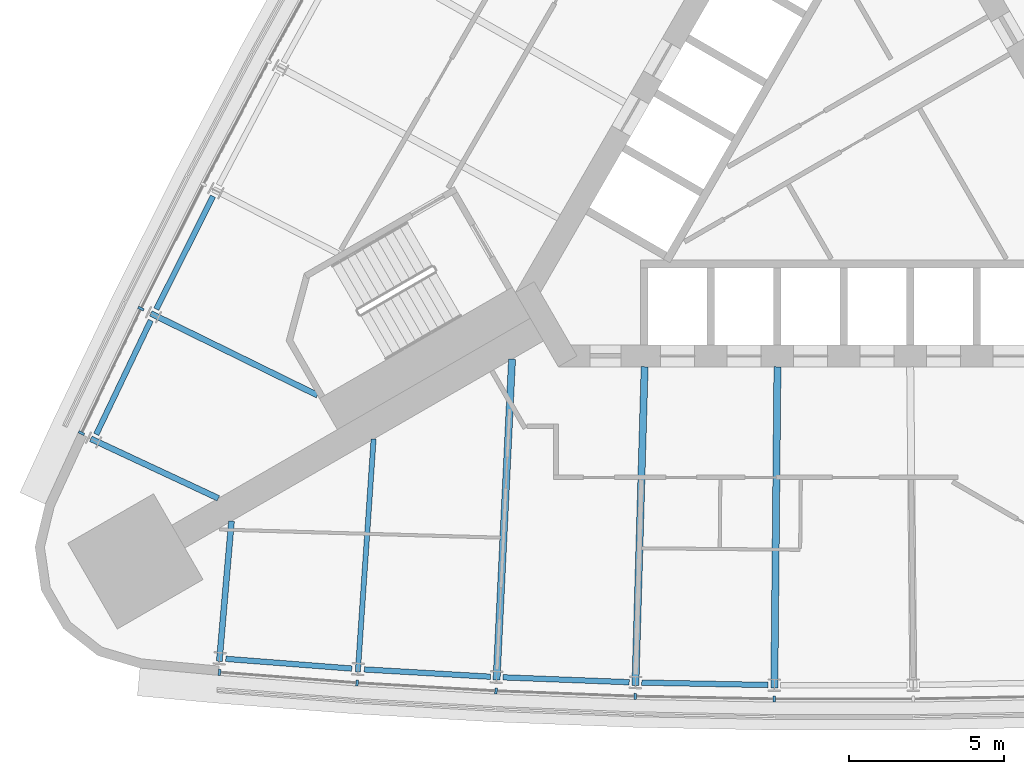
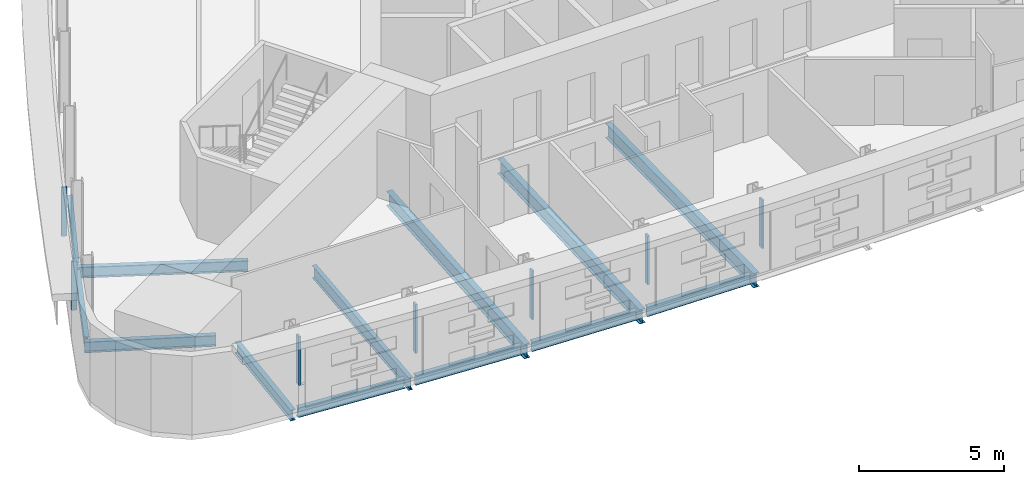
# One storey, part 2 of 14: 13 beams, 7 members, 2 elements without a shape of their own.
"""IFC4 building model written with IfcOpenShell, lengths in metres."""

from ifc_helpers import new_model, si_unit, direction, frame, origin, origin_2d, place, context, subcontext, project, spatial, rectangle, i_section, extrude, material, material_profile, profile_set, type_object, element, aggregate, save


model = new_model("IFC4")

# Units and contexts
model_context = context("Model", 3, precision=1e-05, world=origin(), true_north=direction((0.0, 1.0)))
body_context = subcontext(model_context, "Body", "Model", "MODEL_VIEW")
ifc_project = project(units=[si_unit("LENGTHUNIT", "METRE"), si_unit("AREAUNIT", "SQUARE_METRE"), si_unit("VOLUMEUNIT", "CUBIC_METRE"), si_unit("PLANEANGLEUNIT", "RADIAN"), si_unit("MASSUNIT", "GRAM", prefix="KILO")], contexts=[model_context])

# Site, building, storey
site_placement = place(None, origin())
site = spatial("IfcSite", under=ifc_project, at=site_placement, CompositionType="ELEMENT")
building_placement = place(site_placement, origin())
building = spatial("IfcBuilding", under=site, at=building_placement, Name="Noor Cloister Tower", CompositionType="ELEMENT")
storey_placement = place(building_placement, frame((0.0, 0.0, 76.199951171875)))
storey = spatial("IfcBuildingStorey", under=building, at=storey_placement, Name="L19", CompositionType="ELEMENT", Elevation=76.199951171875)

# Curtain wall, members
ifc_material_1 = material(Name="Aluminium 6063-T6 anodised", Category="aluminium")
curtain_wall_type = type_object("IfcCurtainWallType", Name="Ribbon curtain wall, lower tower CW1", PredefinedType="NOTDEFINED", material=ifc_material_1)
curtain_wall_1_placement = place(storey_placement, origin())
curtain_wall_1 = element("IfcCurtainWall", 1, at=curtain_wall_1_placement, inside=storey, type_object=curtain_wall_type, Name="CW1 L19 NW run 1", PredefinedType="NOTDEFINED")
ifc_material_2 = material(Name="Aluminium 6063-T6 anodised", Category="aluminium")
ifc_material_profile_1 = material_profile(ifc_material_2, rectangle(XDim=0.199951171875, YDim=0.080078125, at=origin_2d()), Name="200 x 80 mullion")
ifc_profile_set_1 = profile_set([ifc_material_profile_1], Name="Aluminium 6063-T6 anodised")
member_type = type_object("IfcMemberType", Name="Mullion CW1 80 x 200", PredefinedType="MULLION", material=ifc_profile_set_1)
member_1_placement = place(storey_placement, frame((-22.716064453125, -5.0498046875, 1.10009765625), z_axis=(0.0, 0.0, 1.0), x_axis=(0.897787769336, -0.440428338361, 0.0)))
member_1 = element("IfcMember", 2, at=member_1_placement, type_object=member_type, Name="CW1 mullion 9", PredefinedType="MULLION", context=body_context, shape_type="SweptSolid", body=[
    extrude(rectangle(XDim=0.199951171875, YDim=0.080078125, at=origin_2d()), origin(), (0.0, 0.0, 1.0), 2.050048828125),
])
member_2_placement = place(storey_placement, frame((-24.641357421875, -9.07177734375, 1.10009765625), z_axis=(0.0, 0.0, 1.0), x_axis=(0.901994375203, -0.431747781814, 0.0)))
member_2 = element("IfcMember", 3, at=member_2_placement, type_object=member_type, Name="CW1 mullion 10", PredefinedType="MULLION", context=body_context, shape_type="SweptSolid", body=[
    extrude(rectangle(XDim=0.199951171875, YDim=0.080078125, at=origin_2d()), origin(), (0.0, 0.0, 1.0), 2.050048828125),
])
aggregate(curtain_wall_1, [member_1, member_2])

curtain_wall_2_placement = place(storey_placement, origin())
curtain_wall_2 = element("IfcCurtainWall", 4, at=curtain_wall_2_placement, inside=storey, type_object=curtain_wall_type, Name="CW1 L19 S run 2", PredefinedType="NOTDEFINED")
member_3_placement = place(storey_placement, frame((-20.177001953125, -16.80419921875, 1.10009765625), z_axis=(0.0, 0.0, 1.0), x_axis=(0.077092640523, 0.997023933904, 0.0)))
member_3 = element("IfcMember", 5, at=member_3_placement, type_object=member_type, Name="CW1 mullion 1", PredefinedType="MULLION", context=body_context, shape_type="SweptSolid", body=[
    extrude(rectangle(XDim=0.199951171875, YDim=0.080078125, at=origin_2d()), origin(), (0.0, 0.0, 1.0), 2.050048828125),
])
member_4_placement = place(storey_placement, frame((-15.731201171875, -17.14794921875, 1.10009765625), z_axis=(0.0, 0.0, 1.0), x_axis=(0.067471755101, 0.997721184632, 0.0)))
member_4 = element("IfcMember", 6, at=member_4_placement, type_object=member_type, Name="CW1 mullion 2", PredefinedType="MULLION", context=body_context, shape_type="SweptSolid", body=[
    extrude(rectangle(XDim=0.199951171875, YDim=0.080078125, at=origin_2d()), origin(), (0.0, 0.0, 1.0), 2.050048828125),
])
member_5_placement = place(storey_placement, frame((-11.24072265625, -17.407958984375, 1.10009765625), z_axis=(0.0, 0.0, 1.0), x_axis=(0.048212063221, 0.998837122338, 0.0)))
member_5 = element("IfcMember", 7, at=member_5_placement, type_object=member_type, Name="CW1 mullion 3", PredefinedType="MULLION", context=body_context, shape_type="SweptSolid", body=[
    extrude(rectangle(XDim=0.199951171875, YDim=0.080078125, at=origin_2d()), origin(), (0.0, 0.0, 1.0), 2.050048828125),
])
member_6_placement = place(storey_placement, frame((-6.74609375, -17.58154296875, 1.10009765625), z_axis=(0.0, 0.0, 1.0), x_axis=(0.028934410279, 0.999581312301, 0.0)))
member_6 = element("IfcMember", 8, at=member_6_placement, type_object=member_type, Name="CW1 mullion 4", PredefinedType="MULLION", context=body_context, shape_type="SweptSolid", body=[
    extrude(rectangle(XDim=0.199951171875, YDim=0.080078125, at=origin_2d()), origin(), (0.0, 0.0, 1.0), 2.050048828125),
])
member_7_placement = place(storey_placement, frame((-2.2490234375, -17.668212890625, 1.10009765625), z_axis=(0.0, 0.0, 1.0), x_axis=(0.009646005931, 0.999953476203, 0.0)))
member_7 = element("IfcMember", 9, at=member_7_placement, type_object=member_type, Name="CW1 mullion 5", PredefinedType="MULLION", context=body_context, shape_type="SweptSolid", body=[
    extrude(rectangle(XDim=0.199951171875, YDim=0.080078125, at=origin_2d()), origin(), (0.0, 0.0, 1.0), 2.050048828125),
])
aggregate(curtain_wall_2, [member_3, member_4, member_5, member_6, member_7])

# Beams
ifc_material_3 = material(Name="Steel ASTM A992 Gr 50", Category="steel")
ifc_material_profile_2 = material_profile(ifc_material_3, i_section(OverallWidth=0.19091796875, OverallDepth=0.45703125, WebThickness=0.009033203125, FlangeThickness=0.014404296875, FilletRadius=0.01025390625, at=origin_2d()), Name="W460x74")
ifc_profile_set_2 = profile_set([ifc_material_profile_2], Name="Steel ASTM A992 Gr 50")
beam_type_1 = type_object("IfcBeamType", Name="Radial beam W460x74", PredefinedType="BEAM", material=ifc_profile_set_2)
beam_1_placement = place(storey_placement, frame((-22.399169921875, -5.205322265625, -0.428466796875), z_axis=(0.897794266156, -0.440415094721, 0.0), x_axis=(0.440415094721, 0.897794266156, 0.0)))
element("IfcBeam", 10, at=beam_1_placement, inside=storey, type_object=beam_type_1, Name="Radial beam NW 09 L19", PredefinedType="BEAM", context=body_context, shape_type="SweptSolid", body=[
    extrude(i_section(OverallWidth=0.19091796875, OverallDepth=0.45703125, WebThickness=0.009033203125, FlangeThickness=0.014404296875, FilletRadius=0.01025390625, at=origin_2d()), origin(), (0.0, 0.0, 1.0), 6.001220703125),
])
for number, where, z_axis, x_axis, name in (
    (11, (-24.33837890625, -9.25634765625, -0.428466796875), (0.906124182133, -0.423011780632, 0.0), (0.423011780632, 0.906124182133, 0.0), "Radial beam NW 10 L19"),
    (12, (-20.185302734375, -16.449462890625, -0.428466796875), (0.08671760944, 0.996232932709, 0.0), (-0.996232932709, 0.08671760944, 0.0), "Radial beam S 01 L19"),
):
    element("IfcBeam", number, at=place(storey_placement, frame(where, z_axis=z_axis, x_axis=x_axis)), inside=storey, type_object=beam_type_1, Name=name, PredefinedType="BEAM", context=body_context, shape_type="SweptSolid", body=[
        extrude(i_section(OverallWidth=0.19091796875, OverallDepth=0.45703125, WebThickness=0.009033203125, FlangeThickness=0.014404296875, FilletRadius=0.01025390625, at=origin_2d()), origin(), (0.0, 0.0, 1.0), 4.549560546875),
    ])
ifc_material_4 = material(Name="Steel ASTM A992 Gr 50", Category="steel")
ifc_material_profile_3 = material_profile(ifc_material_4, i_section(OverallWidth=0.166015625, OverallDepth=0.528076171875, WebThickness=0.009765625, FlangeThickness=0.013671875, FilletRadius=0.0126953125, at=origin_2d()), Name="W530x74")
ifc_profile_set_3 = profile_set([ifc_material_profile_3], Name="Steel ASTM A992 Gr 50")
beam_type_2 = type_object("IfcBeamType", Name="Radial beam W530x74", PredefinedType="BEAM", material=ifc_profile_set_3)
beam_2_placement = place(storey_placement, frame((-15.70751953125, -16.795654296875, -0.4638671875), z_axis=(0.067476517937, 0.99772086253, 0.0), x_axis=(-0.99772086253, 0.067476517937, 0.0)))
element("IfcBeam", 13, at=beam_2_placement, inside=storey, type_object=beam_type_2, Name="Radial beam S 02 L19", PredefinedType="BEAM", context=body_context, shape_type="SweptSolid", body=[
    extrude(i_section(OverallWidth=0.166015625, OverallDepth=0.528076171875, WebThickness=0.009765625, FlangeThickness=0.013671875, FilletRadius=0.0126953125, at=origin_2d()), origin(), (0.0, 0.0, 1.0), 7.54736328125),
])
ifc_material_5 = material(Name="Steel ASTM A992 Gr 50", Category="steel")
ifc_material_profile_4 = material_profile(ifc_material_5, i_section(OverallWidth=0.22802734375, OverallDepth=0.60205078125, WebThickness=0.010498046875, FlangeThickness=0.014892578125, FilletRadius=0.0126953125, at=origin_2d()), Name="W610x101")
ifc_profile_set_4 = profile_set([ifc_material_profile_4], Name="Steel ASTM A992 Gr 50")
beam_type_3 = type_object("IfcBeamType", Name="Radial beam W610x101", PredefinedType="BEAM", material=ifc_profile_set_4)
beam_3_placement = place(storey_placement, frame((-11.223876953125, -17.055419921875, -0.5009765625), z_axis=(0.048212912237, 0.998837081357, 0.0), x_axis=(-0.998837081357, 0.048212912237, 0.0)))
element("IfcBeam", 14, at=beam_3_placement, inside=storey, type_object=beam_type_3, Name="Radial beam S 03 L19", PredefinedType="BEAM", context=body_context, shape_type="SweptSolid", body=[
    extrude(i_section(OverallWidth=0.22802734375, OverallDepth=0.60205078125, WebThickness=0.010498046875, FlangeThickness=0.014892578125, FilletRadius=0.0126953125, at=origin_2d()), origin(), (0.0, 0.0, 1.0), 10.3857421875),
])
beam_4_placement = place(storey_placement, frame((-6.73583984375, -17.228759765625, -0.5009765625), z_axis=(0.028927710154, 0.999581506224, 0.0), x_axis=(-0.999581506224, 0.028927710154, 0.0)))
element("IfcBeam", 15, at=beam_4_placement, inside=storey, type_object=beam_type_3, Name="Radial beam S 04 L19", PredefinedType="BEAM", context=body_context, shape_type="SweptSolid", body=[
    extrude(i_section(OverallWidth=0.22802734375, OverallDepth=0.60205078125, WebThickness=0.010498046875, FlangeThickness=0.014892578125, FilletRadius=0.0126953125, at=origin_2d()), origin(), (0.0, 0.0, 1.0), 10.304931640625),
])
beam_5_placement = place(storey_placement, frame((-2.24560546875, -17.3154296875, -0.5009765625), z_axis=(0.009636181171, 0.999953570928, 0.0), x_axis=(-0.999953570928, 0.009636181171, 0.0)))
element("IfcBeam", 16, at=beam_5_placement, inside=storey, type_object=beam_type_3, Name="Radial beam S 05 L19", PredefinedType="BEAM", context=body_context, shape_type="SweptSolid", body=[
    extrude(i_section(OverallWidth=0.22802734375, OverallDepth=0.60205078125, WebThickness=0.010498046875, FlangeThickness=0.014892578125, FilletRadius=0.0126953125, at=origin_2d()), origin(), (0.0, 0.0, 1.0), 10.3876953125),
])
ifc_material_6 = material(Name="Steel ASTM A992 Gr 50", Category="steel")
ifc_material_profile_5 = material_profile(ifc_material_6, i_section(OverallWidth=0.177978515625, OverallDepth=0.406005859375, WebThickness=0.0078125, FlangeThickness=0.0126953125, FilletRadius=0.01025390625, at=origin_2d()), Name="W410x60")
ifc_profile_set_5 = profile_set([ifc_material_profile_5], Name="Steel ASTM A992 Gr 50")
beam_type_4 = type_object("IfcBeamType", Name="Spandrel beam W410x60", PredefinedType="SPANDREL", material=ifc_profile_set_5)
for number, where, z_axis, x_axis, name in (
    (17, (-20.38671875, -1.417236328125, -0.40283203125), (-0.449101034205, -0.893480979694, 0.0), (0.893480979694, -0.449101034205, 0.0), "Spandrel beam NW 08 L19"),
    (18, (-22.3994140625, -5.43017578125, -0.40283203125), (-0.431728272915, -0.902003713055, 0.0), (0.902003713055, -0.431728272915, 0.0), "Spandrel beam NW 09 L19"),
):
    element("IfcBeam", number, at=place(storey_placement, frame(where, z_axis=z_axis, x_axis=x_axis)), inside=storey, type_object=beam_type_4, Name=name, PredefinedType="SPANDREL", context=body_context, shape_type="SweptSolid", body=[
        extrude(i_section(OverallWidth=0.177978515625, OverallDepth=0.406005859375, WebThickness=0.0078125, FlangeThickness=0.0126953125, FilletRadius=0.01025390625, at=origin_2d()), origin(), (0.0, 0.0, 1.0), 4.085205078125),
    ])
beam_6_placement = place(storey_placement, frame((-19.9755859375, -16.368408203125, -0.40283203125), z_axis=(0.997024176871, -0.077089498212, 0.0), x_axis=(0.077089498212, 0.997024176871, 0.0)))
element("IfcBeam", 19, at=beam_6_placement, inside=storey, type_object=beam_type_4, Name="Spandrel beam S 01 L19", PredefinedType="SPANDREL", context=body_context, shape_type="SweptSolid", body=[
    extrude(i_section(OverallWidth=0.177978515625, OverallDepth=0.406005859375, WebThickness=0.0078125, FlangeThickness=0.0126953125, FilletRadius=0.01025390625, at=origin_2d()), origin(), (0.0, 0.0, 1.0), 4.08544921875),
])
for number, where, z_axis, x_axis, name in (
    (20, (-15.499267578125, -16.710693359375, -0.40283203125), (0.998328754654, -0.057790117076, 0.0), (0.057790117076, 0.998328754654, 0.0), "Spandrel beam S 02 L19"),
    (21, (-11.017333984375, -16.96630859375, -0.40283203125), (0.999254539372, -0.038605252822, 0.0), (0.038605252822, 0.999254539372, 0.0), "Spandrel beam S 03 L19"),
):
    element("IfcBeam", number, at=place(storey_placement, frame(where, z_axis=z_axis, x_axis=x_axis)), inside=storey, type_object=beam_type_4, Name=name, PredefinedType="SPANDREL", context=body_context, shape_type="SweptSolid", body=[
        extrude(i_section(OverallWidth=0.177978515625, OverallDepth=0.406005859375, WebThickness=0.0078125, FlangeThickness=0.0126953125, FilletRadius=0.01025390625, at=origin_2d()), origin(), (0.0, 0.0, 1.0), 4.085205078125),
    ])
beam_7_placement = place(storey_placement, frame((-6.53125, -17.1357421875, -0.40283203125), z_axis=(0.999814852725, -0.019242148262, 0.0), x_axis=(0.019242148262, 0.999814852725, 0.0)))
element("IfcBeam", 22, at=beam_7_placement, inside=storey, type_object=beam_type_4, Name="Spandrel beam S 04 L19", PredefinedType="SPANDREL", context=body_context, shape_type="SweptSolid", body=[
    extrude(i_section(OverallWidth=0.177978515625, OverallDepth=0.406005859375, WebThickness=0.0078125, FlangeThickness=0.0126953125, FilletRadius=0.01025390625, at=origin_2d()), origin(), (0.0, 0.0, 1.0), 4.08544921875),
])

save(model, "model.ifc")
